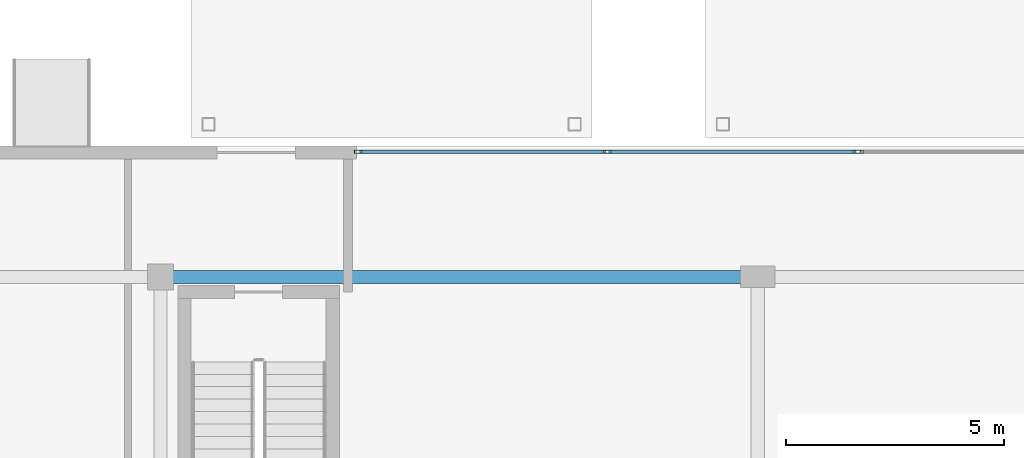
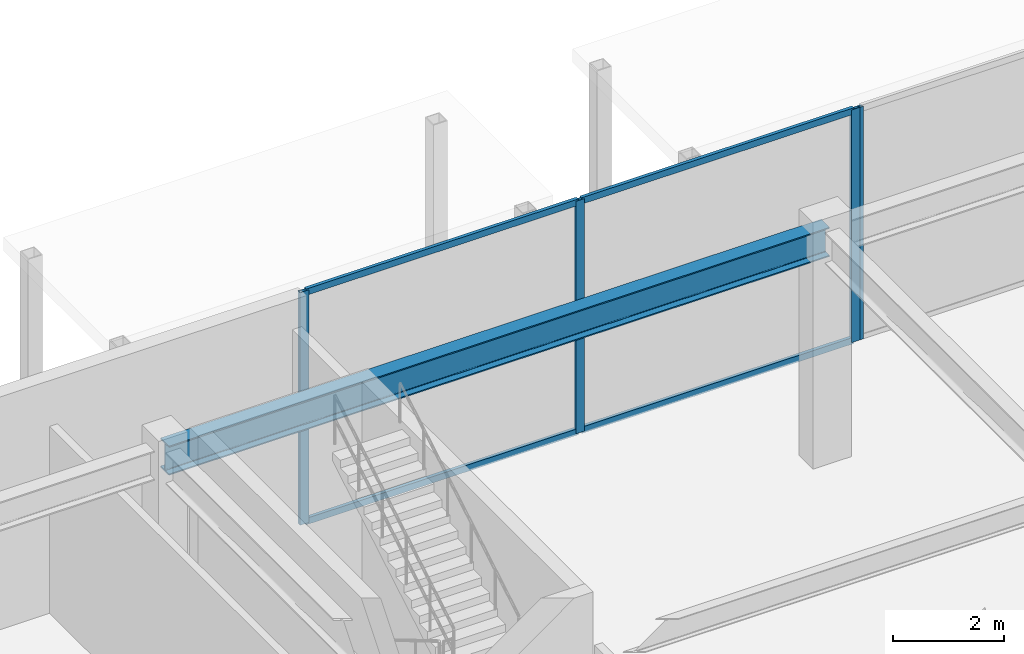
# One storey, part 14 of 28: 8 members, 1 beam, 2 elements without a shape of their own.
"""IFC4 building model written with IfcOpenShell, lengths in metres."""

from ifc_helpers import new_model, si_unit, direction, frame, origin, origin_2d, place, context, subcontext, project, spatial, hollow_rectangle, i_section, extrude, source, transform, mapped, material, material_profile, profile_set, type_object, type_shapes, element, aggregate, save


model = new_model("IFC4")

# Units and contexts
model_context = context("Model", 3, precision=1e-05, world=origin(), true_north=direction((0.0, 1.0)))
body_context = subcontext(model_context, "Body", "Model", "MODEL_VIEW")
ifc_project = project(units=[si_unit("LENGTHUNIT", "METRE"), si_unit("AREAUNIT", "SQUARE_METRE"), si_unit("VOLUMEUNIT", "CUBIC_METRE"), si_unit("PLANEANGLEUNIT", "RADIAN"), si_unit("MASSUNIT", "GRAM", prefix="KILO")], contexts=[model_context])

# Site, building, storey
site_placement = place(None, origin())
site = spatial("IfcSite", under=ifc_project, at=site_placement, CompositionType="ELEMENT")
building_placement = place(site_placement, origin())
building = spatial("IfcBuilding", under=site, at=building_placement, Name="Krantzveldt Concourse Tower", CompositionType="ELEMENT")
storey_placement = place(building_placement, origin())
storey = spatial("IfcBuildingStorey", under=building, at=storey_placement, Name="L00", CompositionType="ELEMENT", Elevation=0.0)

# Beam
ifc_material_1 = material(Name="Steel S355JR", Category="steel")
ifc_material_profile_1 = material_profile(ifc_material_1, i_section(OverallWidth=0.300048828125, OverallDepth=0.639892578125, WebThickness=0.013427734375, FlangeThickness=0.02587890625, FilletRadius=0.027099609375, at=origin_2d()), Name="Steel S355JR", Category="steel")
ifc_profile_set_1 = profile_set([ifc_material_profile_1], Name="Steel S355JR - HEA 650")
beam_type = type_object("IfcBeamType", Name="BM-B-HEA650", PredefinedType="BEAM", material=ifc_profile_set_1)
shared_shape_1 = source(origin(), body_context, "Body", "SweptSolid", [
    extrude(i_section(OverallWidth=0.300048828125, OverallDepth=0.639892578125, WebThickness=0.013427734375, FlangeThickness=0.02587890625, FilletRadius=0.027099609375, at=origin_2d()), origin(), (0.0, 0.0, 1.0), 13.699951171875),
])
type_shapes(beam_type, [shared_shape_1])
beam_placement = place(storey_placement, frame((11.5, 50.10009765625, 4.780029296875), z_axis=(1.0, 0.0, 0.0), x_axis=(0.0, 1.0, 0.0)))
element("IfcBeam", 1, at=beam_placement, inside=storey, type_object=beam_type, Name="L00 Podium Primary Girder BG-NN1", PredefinedType="BEAM", context=body_context, shape_type="MappedRepresentation", body=[
    mapped(shared_shape_1, transform((0.0, 0.0, 0.0), x_axis=(1.0, 0.0, 0.0), y_axis=(0.0, 1.0, 0.0), z_axis=(0.0, 0.0, 1.0), scale=1.0)),
])

# Curtain wall, members
ifc_material_2 = material(Name="Anodised aluminium 6063-T6", Category="aluminium")
curtain_wall_type = type_object("IfcCurtainWallType", Name="CW1", PredefinedType="USERDEFINED", material=ifc_material_2)
curtain_wall_1_placement = place(storey_placement, origin())
curtain_wall_1 = element("IfcCurtainWall", 2, at=curtain_wall_1_placement, inside=storey, type_object=curtain_wall_type, Name="CW-L00-NC1", ObjectType="UNITISED CURTAIN WALL", PredefinedType="USERDEFINED")
ifc_material_profile_2 = material_profile(ifc_material_2, hollow_rectangle(XDim=0.070068359375, YDim=0.179931640625, WallThickness=0.0048828125, at=origin_2d()), Name="Anodised aluminium 6063-T6", Category="aluminium")
ifc_profile_set_2 = profile_set([ifc_material_profile_2], Name="Anodised aluminium 6063-T6 - ALU-MULL 180x70x5")
member_type_1 = type_object("IfcMemberType", Name="CW-MUL-180", PredefinedType="MULLION", material=ifc_profile_set_2)
shared_shape_2 = source(origin(), body_context, "Body", "SweptSolid", [
    extrude(hollow_rectangle(XDim=0.070068359375, YDim=0.179931640625, WallThickness=0.0048828125, at=origin_2d()), origin(), (0.0, 0.0, 1.0), 5.10009765625),
])
type_shapes(member_type_1, [shared_shape_2])
member_1_placement = place(storey_placement, frame((27.465087890625, 52.969970703125, 0.0), z_axis=(0.0, 0.0, 1.0), x_axis=(0.0, -1.0, 0.0)))
member_1 = element("IfcMember", 3, at=member_1_placement, type_object=member_type_1, Name="CW-POD mullion 1", PredefinedType="MULLION", context=body_context, shape_type="MappedRepresentation", body=[
    mapped(shared_shape_2, transform((0.0, 0.0, 0.0), x_axis=(1.0, 0.0, 0.0), y_axis=(0.0, 1.0, 0.0), z_axis=(0.0, 0.0, 1.0), scale=1.0)),
])
member_2_placement = place(storey_placement, frame((21.75, 52.969970703125, 0.0), z_axis=(0.0, 0.0, 1.0), x_axis=(0.0, -1.0, 0.0)))
member_2 = element("IfcMember", 4, at=member_2_placement, type_object=member_type_1, Name="CW-POD mullion 2", PredefinedType="MULLION", context=body_context, shape_type="MappedRepresentation", body=[
    mapped(shared_shape_2, transform((0.0, 0.0, 0.0), x_axis=(1.0, 0.0, 0.0), y_axis=(0.0, 1.0, 0.0), z_axis=(0.0, 0.0, 1.0), scale=1.0)),
])
member_3_placement = place(storey_placement, frame((16.034912109375, 52.969970703125, 0.0), z_axis=(0.0, 0.0, 1.0), x_axis=(0.0, -1.0, 0.0)))
member_3 = element("IfcMember", 5, at=member_3_placement, type_object=member_type_1, Name="CW-POD mullion 3", PredefinedType="MULLION", context=body_context, shape_type="MappedRepresentation", body=[
    mapped(shared_shape_2, transform((0.0, 0.0, 0.0), x_axis=(1.0, 0.0, 0.0), y_axis=(0.0, 1.0, 0.0), z_axis=(0.0, 0.0, 1.0), scale=1.0)),
])

# Curtain wall, member
curtain_wall_2_placement = place(storey_placement, origin())
curtain_wall_2 = element("IfcCurtainWall", 6, at=curtain_wall_2_placement, inside=storey, type_object=curtain_wall_type, Name="CW-L00-NC2", ObjectType="UNITISED CURTAIN WALL", PredefinedType="USERDEFINED")
member_4_placement = place(storey_placement, frame((27.534912109375, 52.969970703125, 0.0), z_axis=(0.0, 0.0, 1.0), x_axis=(0.0, -1.0, 0.0)))
member_4 = element("IfcMember", 7, at=member_4_placement, type_object=member_type_1, Name="CW-POD mullion 5", PredefinedType="MULLION", context=body_context, shape_type="MappedRepresentation", body=[
    mapped(shared_shape_2, transform((0.0, 0.0, 0.0), x_axis=(1.0, 0.0, 0.0), y_axis=(0.0, 1.0, 0.0), z_axis=(0.0, 0.0, 1.0), scale=1.0)),
])
aggregate(curtain_wall_2, [member_4])

# Member
ifc_material_profile_3 = material_profile(ifc_material_2, hollow_rectangle(XDim=0.070068359375, YDim=0.139892578125, WallThickness=0.0048828125, at=origin_2d()), Name="Anodised aluminium 6063-T6", Category="aluminium")
ifc_profile_set_3 = profile_set([ifc_material_profile_3], Name="Anodised aluminium 6063-T6 - ALU-TRAN 140x70x5")
member_type_2 = type_object("IfcMemberType", Name="CW-TRN-150", PredefinedType="USERDEFINED", material=ifc_profile_set_3)
shared_shape_3 = source(origin(), body_context, "Body", "SweptSolid", [
    extrude(hollow_rectangle(XDim=0.070068359375, YDim=0.139892578125, WallThickness=0.0048828125, at=origin_2d()), origin(), (0.0, 0.0, 1.0), 5.64501953125),
])
type_shapes(member_type_2, [shared_shape_3])
member_5_placement = place(storey_placement, frame((27.429931640625, 52.969970703125, 0.034912109375), z_axis=(-1.0, 0.0, 0.0), x_axis=(0.0, -1.0, 0.0)))
member_5 = element("IfcMember", 8, at=member_5_placement, type_object=member_type_2, Name="CW-POD transom 1.1", ObjectType="TRANSOM", PredefinedType="USERDEFINED", context=body_context, shape_type="MappedRepresentation", body=[
    mapped(shared_shape_3, transform((0.0, 0.0, 0.0), x_axis=(1.0, 0.0, 0.0), y_axis=(0.0, 1.0, 0.0), z_axis=(0.0, 0.0, 1.0), scale=1.0)),
])

member_6_placement = place(storey_placement, frame((27.429931640625, 52.969970703125, 5.06494140625), z_axis=(-1.0, 0.0, 0.0), x_axis=(0.0, -1.0, 0.0)))
member_6 = element("IfcMember", 9, at=member_6_placement, type_object=member_type_2, Name="CW-POD transom 1.2", ObjectType="TRANSOM", PredefinedType="USERDEFINED", context=body_context, shape_type="MappedRepresentation", body=[
    mapped(shared_shape_3, transform((0.0, 0.0, 0.0), x_axis=(1.0, 0.0, 0.0), y_axis=(0.0, 1.0, 0.0), z_axis=(0.0, 0.0, 1.0), scale=1.0)),
])

member_7_placement = place(storey_placement, frame((21.715087890625, 52.969970703125, 0.034912109375), z_axis=(-1.0, 0.0, 0.0), x_axis=(0.0, -1.0, 0.0)))
member_7 = element("IfcMember", 10, at=member_7_placement, type_object=member_type_2, Name="CW-POD transom 2.1", ObjectType="TRANSOM", PredefinedType="USERDEFINED", context=body_context, shape_type="MappedRepresentation", body=[
    mapped(shared_shape_3, transform((0.0, 0.0, 0.0), x_axis=(1.0, 0.0, 0.0), y_axis=(0.0, 1.0, 0.0), z_axis=(0.0, 0.0, 1.0), scale=1.0)),
])

member_8_placement = place(storey_placement, frame((21.715087890625, 52.969970703125, 5.06494140625), z_axis=(-1.0, 0.0, 0.0), x_axis=(0.0, -1.0, 0.0)))
member_8 = element("IfcMember", 11, at=member_8_placement, type_object=member_type_2, Name="CW-POD transom 2.2", ObjectType="TRANSOM", PredefinedType="USERDEFINED", context=body_context, shape_type="MappedRepresentation", body=[
    mapped(shared_shape_3, transform((0.0, 0.0, 0.0), x_axis=(1.0, 0.0, 0.0), y_axis=(0.0, 1.0, 0.0), z_axis=(0.0, 0.0, 1.0), scale=1.0)),
])

aggregate(curtain_wall_1, [member_1, member_2, member_3, member_5, member_6, member_7, member_8])

save(model, "model.ifc")
